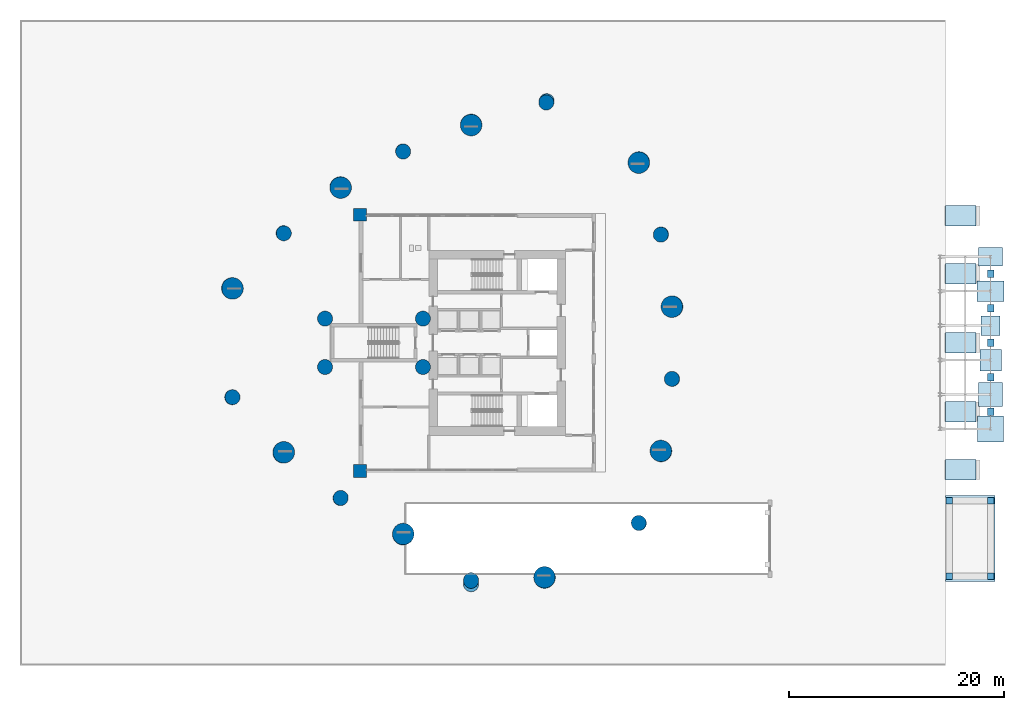
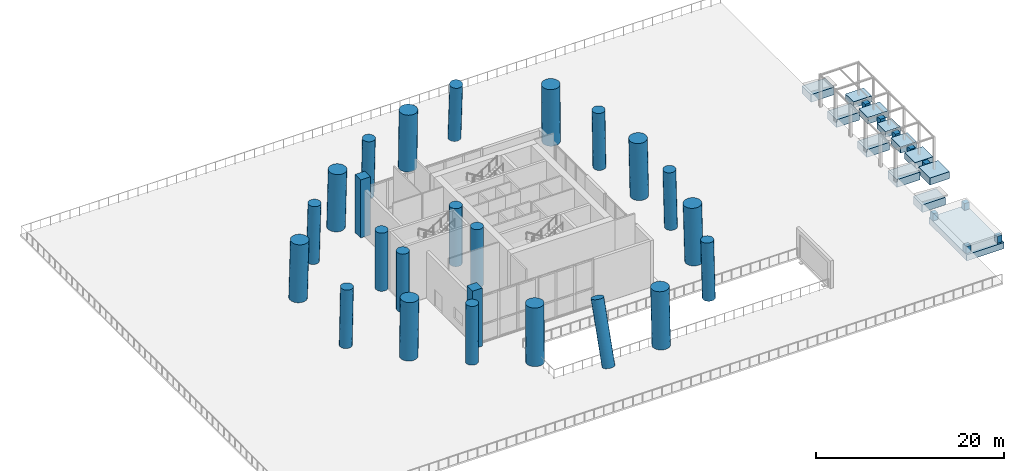
# One storey, part 1 of 16: 28 columns, 17 footings.
"""IFC4 building model written with IfcOpenShell, lengths in metres."""

import ifcopenshell
import ifcopenshell.guid

model = None  # the IFC model being written
_history = None  # IfcOwnerHistory: only IFC2X3 demands one
_inside = {}  # id of a spatial element -> (the spatial element, [elements in it])
_under = {}  # id of a project, library or spatial element -> (it, [spatial elements below it])
_declared = {}  # id of a project -> (the project, [libraries it declares])
_typed = {}  # id of a type object -> (the type object, [elements of that type])
_made_of = {}  # id of a material, layer set ... -> (it, [elements and type objects made of it])


def new_model(schema):
    """Start an empty IFC model of exactly this schema.

    Asked for "IFC4X3", IfcOpenShell would pick the latest addendum, in which some entities
    have other attributes; the version numbers below select the first issue.
    IFC2X3 requires an IfcOwnerHistory on every rooted entity: one is made here for all.
    """
    global model, _history
    if schema == "IFC4X3":
        model = ifcopenshell.file(schema_version=(4, 3, 0, 0))
    else:
        model = ifcopenshell.file(schema=schema)
    _inside.clear()
    _under.clear()
    _declared.clear()
    _typed.clear()
    _made_of.clear()
    _history = None
    if model.schema == "IFC2X3":
        org = make("IfcOrganization", Name="unknown")
        user = make(
            "IfcPersonAndOrganization",
            ThePerson=make("IfcPerson", FamilyName="unknown"),
            TheOrganization=org,
        )
        app = make(
            "IfcApplication",
            ApplicationDeveloper=org,
            Version="unknown",
            ApplicationFullName="unknown",
            ApplicationIdentifier="unknown",
        )
        _history = make(
            "IfcOwnerHistory",
            OwningUser=user,
            OwningApplication=app,
            ChangeAction="ADDED",
            CreationDate=0,
        )
    return model


def make(cls, **values):
    """One entity of the class cls with the attributes given. An attribute that is None is left unset."""
    return model.create_entity(
        cls, **{name: value for name, value in values.items() if value is not None}
    )


def rooted(cls, **values):
    """An entity with a GlobalId (a new one), such as an element, a storey or a relation."""
    return make(cls, GlobalId=ifcopenshell.guid.new(), OwnerHistory=_history, **values)


def si_unit(unit_type, name, prefix=None):
    """IfcSIUnit, for example si_unit("LENGTHUNIT", "METRE", prefix="MILLI")."""
    return make("IfcSIUnit", UnitType=unit_type, Prefix=prefix, Name=name)


def assignment(units):
    """IfcUnitAssignment: the units of a project."""
    return None if units is None else make("IfcUnitAssignment", Units=units)


def point(xyz):
    """IfcCartesianPoint."""
    return None if xyz is None else make("IfcCartesianPoint", Coordinates=xyz)


def direction(xyz):
    """IfcDirection."""
    return None if xyz is None else make("IfcDirection", DirectionRatios=xyz)


def frame(location, z_axis=None, x_axis=None):
    """IfcAxis2Placement3D, a coordinate frame: its origin and axes. An axis left out is left unset."""
    return make(
        "IfcAxis2Placement3D",
        Location=point(location),
        Axis=direction(z_axis),
        RefDirection=direction(x_axis),
    )


def frame_2d(location, x_axis=None):
    """IfcAxis2Placement2D, a coordinate frame in the plane: its origin and x axis."""
    return make(
        "IfcAxis2Placement2D", Location=point(location), RefDirection=direction(x_axis)
    )


def origin():
    """The frame at (0, 0, 0) with its axes left unset."""
    return frame((0.0, 0.0, 0.0))


def origin_2d():
    """The frame at (0, 0) in the plane with its x axis left unset."""
    return frame_2d((0.0, 0.0))


def place(relative_to, where):
    """IfcLocalPlacement: puts the frame where relative to a parent placement (None: the world)."""
    return make(
        "IfcLocalPlacement", PlacementRelTo=relative_to, RelativePlacement=where
    )


def context(
    kind, dimensions, precision=None, world=None, true_north=None, identifier=None
):
    """IfcGeometricRepresentationContext, for example the 3D "Model" context."""
    return make(
        "IfcGeometricRepresentationContext",
        ContextIdentifier=identifier,
        ContextType=kind,
        CoordinateSpaceDimension=dimensions,
        Precision=precision,
        WorldCoordinateSystem=world,
        TrueNorth=true_north,
    )


def subcontext(parent, identifier, kind, view, scale=None):
    """IfcGeometricRepresentationSubContext, for example "Body" below "Model"."""
    return make(
        "IfcGeometricRepresentationSubContext",
        ContextIdentifier=identifier,
        ContextType=kind,
        ParentContext=parent,
        TargetScale=scale,
        TargetView=view,
    )


def project(units=None, contexts=None):
    """IfcProject with its units and contexts."""
    return rooted(
        "IfcProject",
        Name="project",
        RepresentationContexts=contexts,
        UnitsInContext=assignment(units),
    )


def spatial(cls, under=None, at=None, **own):
    """A site, building, storey or space (cls), placed at a placement, below another one or the project."""
    s = rooted(cls, ObjectPlacement=at, **own)
    if under is not None:
        _under.setdefault(under.id(), (under, []))[1].append(s)
    return s


def polyline(points):
    """IfcPolyline through the points."""
    return make("IfcPolyline", Points=[point(p) for p in points])


def profile(cls, at=None, kind="AREA", **sizes):
    """A parametric profile (cls). Its sizes go by their IFC names, for example OverallWidth=200.0."""
    return make(cls, ProfileType=kind, Position=at, **sizes)


def rectangle(**sizes):
    """IfcRectangleProfileDef."""
    return profile("IfcRectangleProfileDef", **sizes)


def circle(**sizes):
    """IfcCircleProfileDef."""
    return profile("IfcCircleProfileDef", **sizes)


def outline(outer, holes=None, kind="AREA"):
    """IfcArbitraryClosedProfileDef: a profile drawn as a closed curve; with holes, ...WithVoids."""
    if holes is None:
        return make("IfcArbitraryClosedProfileDef", ProfileType=kind, OuterCurve=outer)
    return make(
        "IfcArbitraryProfileDefWithVoids",
        ProfileType=kind,
        OuterCurve=outer,
        InnerCurves=holes,
    )


def extrude(swept, where, along, depth):
    """IfcExtrudedAreaSolid: the profile swept, set in the frame where, extruded along a direction by depth."""
    return make(
        "IfcExtrudedAreaSolid",
        SweptArea=swept,
        Position=where,
        ExtrudedDirection=direction(along),
        Depth=depth,
    )


def shape(context_of_items, identifier, shape_type, items):
    """IfcShapeRepresentation: the items that make up one representation, for example the "Body"."""
    return make(
        "IfcShapeRepresentation",
        ContextOfItems=context_of_items,
        RepresentationIdentifier=identifier,
        RepresentationType=shape_type,
        Items=items,
    )


def source(mapping_origin, context_of_items, identifier, shape_type, items):
    """IfcRepresentationMap: a shape defined once, which mapped items show again and again."""
    return make(
        "IfcRepresentationMap",
        MappingOrigin=mapping_origin,
        MappedRepresentation=shape(context_of_items, identifier, shape_type, items),
    )


def transform(
    local_origin,
    x_axis=None,
    y_axis=None,
    z_axis=None,
    scale=None,
    scale2=None,
    scale3=None,
    uniform=True,
):
    """IfcCartesianTransformationOperator3D, or its non-uniform kind. x_axis, y_axis, z_axis: its Axis1, 2, 3."""
    if uniform:
        return make(
            "IfcCartesianTransformationOperator3D",
            Axis1=direction(x_axis),
            Axis2=direction(y_axis),
            LocalOrigin=point(local_origin),
            Scale=scale,
            Axis3=direction(z_axis),
        )
    return make(
        "IfcCartesianTransformationOperator3DnonUniform",
        Axis1=direction(x_axis),
        Axis2=direction(y_axis),
        LocalOrigin=point(local_origin),
        Scale=scale,
        Axis3=direction(z_axis),
        Scale2=scale2,
        Scale3=scale3,
    )


def mapped(mapping_source, mapping_target):
    """IfcMappedItem: shows the shape of a source again, moved by a transform."""
    return make(
        "IfcMappedItem", MappingSource=mapping_source, MappingTarget=mapping_target
    )


def material(Name=None, Category=None):
    """IfcMaterial."""
    return make("IfcMaterial", Name=Name, Category=Category)


def layer(
    of_material, thickness, ventilated=None, Name=None, Category=None, Priority=None
):
    """IfcMaterialLayer: one layer of a wall or slab, of a material (None: an air gap)."""
    return make(
        "IfcMaterialLayer",
        Material=of_material,
        LayerThickness=thickness,
        IsVentilated=ventilated,
        Name=Name,
        Category=Category,
        Priority=Priority,
    )


def layer_set(layers, Name=None):
    """IfcMaterialLayerSet."""
    return make("IfcMaterialLayerSet", MaterialLayers=layers, LayerSetName=Name)


def material_profile(
    of_material, cross_section, Name=None, Category=None, Priority=None
):
    """IfcMaterialProfile: a cross section and its material."""
    return make(
        "IfcMaterialProfile",
        Name=Name,
        Material=of_material,
        Profile=cross_section,
        Priority=Priority,
        Category=Category,
    )


def profile_set(profiles, Name=None, composite=None):
    """IfcMaterialProfileSet."""
    return make(
        "IfcMaterialProfileSet",
        Name=Name,
        MaterialProfiles=profiles,
        CompositeProfile=composite,
    )


def made_of(thing, what):
    """Note that an element or type object is made of a material, layer set ...; save() writes the relation."""
    if what is not None:
        _made_of.setdefault(what.id(), (what, []))[1].append(thing)
    return thing


def type_object(cls, material=None, **own):
    """A type object (cls), such as IfcWallType, which elements share."""
    return made_of(rooted(cls, **own), material)


def element(
    cls,
    number,
    at=None,
    inside=None,
    cuts=None,
    type_object=None,
    material=None,
    context=None,
    identifier="Body",
    shape_type=None,
    held_by="IfcProductDefinitionShape",
    body=None,
    shapes=None,
    **own,
):
    """One element of the class cls, such as IfcWall. Its Tag is "e" and its number.

    at: its placement. inside: the storey or other place that contains it. cuts: it is an
    opening in that element (IfcRelVoidsElement). A single representation is given by context,
    identifier, shape_type and body (its items); several are given by shapes. held_by: the class
    of the entity that holds the representations. save() writes the other relations.
    """
    e = rooted(cls, Tag="e%d" % number, ObjectPlacement=at, **own)
    if body is not None:
        shapes = [shape(context, identifier, shape_type, body)]
    if shapes is not None:
        e.Representation = make(held_by, Representations=shapes)
    if inside is not None:
        _inside.setdefault(inside.id(), (inside, []))[1].append(e)
    if cuts is not None:
        rooted(
            "IfcRelVoidsElement", RelatingBuildingElement=cuts, RelatedOpeningElement=e
        )
    if type_object is not None:
        _typed.setdefault(type_object.id(), (type_object, []))[1].append(e)
    return made_of(e, material)


def aggregate(whole, parts):
    """IfcRelAggregates: a whole, such as a stair, and the parts it consists of."""
    return rooted("IfcRelAggregates", RelatingObject=whole, RelatedObjects=parts)


def save(model, path):
    """Write the relations noted so far, then the file.

    IfcRelAggregates (storeys below a building ...), IfcRelContainedInSpatialStructure (elements
    in a storey), IfcRelDefinesByType, IfcRelAssociatesMaterial and IfcRelDeclares: one each for
    every whole, place, type object, material and project.
    """
    for whole, parts in _under.values():
        aggregate(whole, parts)
    for where, things in _inside.values():
        rooted(
            "IfcRelContainedInSpatialStructure",
            RelatedElements=things,
            RelatingStructure=where,
        )
    for kind, things in _typed.values():
        rooted("IfcRelDefinesByType", RelatedObjects=things, RelatingType=kind)
    for what, things in _made_of.values():
        rooted("IfcRelAssociatesMaterial", RelatedObjects=things, RelatingMaterial=what)
    for by, libraries in _declared.values():
        rooted("IfcRelDeclares", RelatingContext=by, RelatedDefinitions=libraries)
    model.write(path)


model = new_model("IFC4")

# Units and contexts
model_context = context("Model", 3, precision=1e-05, world=origin(), true_north=direction((0.0, 1.0)))
body_context = subcontext(model_context, "Body", "Model", "MODEL_VIEW")
ifc_project = project(units=[si_unit("LENGTHUNIT", "METRE"), si_unit("AREAUNIT", "SQUARE_METRE"), si_unit("VOLUMEUNIT", "CUBIC_METRE"), si_unit("PLANEANGLEUNIT", "RADIAN"), si_unit("MASSUNIT", "GRAM", prefix="KILO")], contexts=[model_context])

# Site, building, storey
site_placement = place(None, origin())
site = spatial("IfcSite", under=ifc_project, at=site_placement, CompositionType="ELEMENT")
building_placement = place(site_placement, origin())
building = spatial("IfcBuilding", under=site, at=building_placement, Name="Qafzar Sky-Pleat Residences", CompositionType="ELEMENT")
storey_placement = place(building_placement, origin())
storey = spatial("IfcBuildingStorey", under=building, at=storey_placement, Name="L00", CompositionType="ELEMENT", Elevation=0.0)

# Footings
ifc_material_1 = material(Name="Concrete C50/60", Category="concrete")
ifc_layer_1 = layer(ifc_material_1, 0.89990234375)
ifc_layer_set_1 = layer_set([ifc_layer_1], Name="Concrete C50/60")
footing_type_1 = type_object("IfcFootingType", Name="FTG-PAD-01", PredefinedType="PAD_FOOTING", material=ifc_layer_set_1)
footing_1_placement = place(storey_placement, frame((0.0, 0.0, -1.9150390625)))
element("IfcFooting", 1, at=footing_1_placement, inside=storey, type_object=footing_type_1, Name="L00 Driveway Apron Mat Footing", PredefinedType="PAD_FOOTING", context=body_context, shape_type="SweptSolid", body=[
    extrude(outline(polyline([(72.02001953125, 3.800048828125), (76.60009765625, 3.800048828125), (76.60009765625, 11.800048828125), (72.02001953125, 11.800048828125), (72.02001953125, 3.800048828125)])), origin(), (0.0, 0.0, 1.0), 0.800048828125),
])
ifc_layer_2 = layer(ifc_material_1, 0.85009765625)
ifc_layer_set_2 = layer_set([ifc_layer_2], Name="Concrete C50/60")
footing_type_2 = type_object("IfcFootingType", Name="FTG-PAD-02", PredefinedType="PAD_FOOTING", material=ifc_layer_set_2)
footing_2_placement = place(storey_placement, frame((0.0, 0.0, -1.3798828125)))
element("IfcFooting", 2, at=footing_2_placement, inside=storey, type_object=footing_type_2, Name="L00 Accessible Ramp Grade Footing 1", PredefinedType="PAD_FOOTING", context=body_context, shape_type="SweptSolid", body=[
    extrude(outline(polyline([(72.02001953125, 13.25), (74.85009765625, 13.25), (74.85009765625, 15.14990234375), (72.02001953125, 15.14990234375), (72.02001953125, 13.25)])), origin(), (0.0, 0.0, 1.0), 1.0),
])
footing_3_placement = place(storey_placement, frame((0.0, 0.0, -1.3798828125)))
element("IfcFooting", 3, at=footing_3_placement, inside=storey, type_object=footing_type_2, Name="L00 Accessible Ramp Grade Footing 2", PredefinedType="PAD_FOOTING", context=body_context, shape_type="SweptSolid", body=[
    extrude(outline(polyline([(72.02001953125, 18.64990234375), (74.85009765625, 18.64990234375), (74.85009765625, 20.550048828125), (72.02001953125, 20.550048828125), (72.02001953125, 18.64990234375)])), origin(), (0.0, 0.0, 1.0), 1.0),
])
footing_4_placement = place(storey_placement, frame((0.0, 0.0, -1.3798828125)))
element("IfcFooting", 4, at=footing_4_placement, inside=storey, type_object=footing_type_2, Name="L00 Accessible Ramp Grade Footing 3", PredefinedType="PAD_FOOTING", context=body_context, shape_type="SweptSolid", body=[
    extrude(outline(polyline([(72.02001953125, 25.050048828125), (74.85009765625, 25.050048828125), (74.85009765625, 26.949951171875), (72.02001953125, 26.949951171875), (72.02001953125, 25.050048828125)])), origin(), (0.0, 0.0, 1.0), 1.0),
])
footing_5_placement = place(storey_placement, frame((0.0, 0.0, -1.3798828125)))
element("IfcFooting", 5, at=footing_5_placement, inside=storey, type_object=footing_type_2, Name="L00 Accessible Ramp Grade Footing 4", PredefinedType="PAD_FOOTING", context=body_context, shape_type="SweptSolid", body=[
    extrude(outline(polyline([(72.02001953125, 31.449951171875), (74.85009765625, 31.449951171875), (74.85009765625, 33.35009765625), (72.02001953125, 33.35009765625), (72.02001953125, 31.449951171875)])), origin(), (0.0, 0.0, 1.0), 1.0),
])
footing_6_placement = place(storey_placement, frame((0.0, 0.0, -1.3798828125)))
element("IfcFooting", 6, at=footing_6_placement, inside=storey, type_object=footing_type_2, Name="L00 Accessible Ramp Grade Footing 5", PredefinedType="PAD_FOOTING", context=body_context, shape_type="SweptSolid", body=[
    extrude(outline(polyline([(72.02001953125, 36.85009765625), (74.85009765625, 36.85009765625), (74.85009765625, 38.75), (72.02001953125, 38.75), (72.02001953125, 36.85009765625)])), origin(), (0.0, 0.0, 1.0), 1.0),
])
shared_shape_1 = source(origin(), body_context, "Body", "SweptSolid", [
    extrude(rectangle(XDim=2.39990234375, YDim=2.39990234375, at=origin_2d()), origin(), (0.0, 0.0, 1.0), 0.89990234375),
])
footing_7_placement = place(storey_placement, frame((76.199951171875, 18.0, -1.0), z_axis=(0.0, 0.0, 1.0), x_axis=(1.0, 0.0, 0.0)))
element("IfcFooting", 7, at=footing_7_placement, inside=storey, type_object=footing_type_1, Name="Wadi Canopy Pad Footing 1", PredefinedType="PAD_FOOTING", context=body_context, shape_type="MappedRepresentation", body=[
    mapped(shared_shape_1, transform((0.0, 0.0, 0.0), x_axis=(1.0, 0.0, 0.0), y_axis=(0.0, 1.0, 0.0), z_axis=(0.0, 0.0, 1.0), scale=1.0)),
])
shared_shape_2 = source(origin(), body_context, "Body", "SweptSolid", [
    extrude(rectangle(XDim=2.199951171875, YDim=2.199951171875, at=origin_2d()), origin(), (0.0, 0.0, 1.0), 0.85009765625),
])
footing_8_placement = place(storey_placement, frame((76.199951171875, 21.199951171875, -0.97509765625), z_axis=(0.0, 0.0, 1.0), x_axis=(1.0, 0.0, 0.0)))
element("IfcFooting", 8, at=footing_8_placement, inside=storey, type_object=footing_type_2, Name="Wadi Canopy Pad Footing 2", PredefinedType="PAD_FOOTING", context=body_context, shape_type="MappedRepresentation", body=[
    mapped(shared_shape_2, transform((0.0, 0.0, 0.0), x_axis=(1.0, 0.0, 0.0), y_axis=(0.0, 1.0, 0.0), z_axis=(0.0, 0.0, 1.0), scale=1.0)),
])
ifc_layer_3 = layer(ifc_material_1, 0.800048828125)
ifc_layer_set_3 = layer_set([ifc_layer_3], Name="Concrete C50/60")
footing_type_3 = type_object("IfcFootingType", Name="FTG-PAD-03", PredefinedType="PAD_FOOTING", material=ifc_layer_set_3)
shared_shape_3 = source(origin(), body_context, "Body", "SweptSolid", [
    extrude(rectangle(XDim=2.0, YDim=2.0, at=origin_2d()), origin(), (0.0, 0.0, 1.0), 0.800048828125),
])
footing_9_placement = place(storey_placement, frame((76.199951171875, 24.39990234375, -0.9501953125), z_axis=(0.0, 0.0, 1.0), x_axis=(1.0, 0.0, 0.0)))
element("IfcFooting", 9, at=footing_9_placement, inside=storey, type_object=footing_type_3, Name="Wadi Canopy Pad Footing 3", PredefinedType="PAD_FOOTING", context=body_context, shape_type="MappedRepresentation", body=[
    mapped(shared_shape_3, transform((0.0, 0.0, 0.0), x_axis=(1.0, 0.0, 0.0), y_axis=(0.0, 1.0, 0.0), z_axis=(0.0, 0.0, 1.0), scale=1.0)),
])
ifc_layer_4 = layer(ifc_material_1, 0.75)
ifc_layer_set_4 = layer_set([ifc_layer_4], Name="Concrete C50/60")
footing_type_4 = type_object("IfcFootingType", Name="FTG-PAD-04", PredefinedType="PAD_FOOTING", material=ifc_layer_set_4)
shared_shape_4 = source(origin(), body_context, "Body", "SweptSolid", [
    extrude(rectangle(XDim=1.800048828125, YDim=1.800048828125, at=origin_2d()), origin(), (0.0, 0.0, 1.0), 0.75),
])
footing_10_placement = place(storey_placement, frame((76.199951171875, 27.60009765625, -0.925048828125), z_axis=(0.0, 0.0, 1.0), x_axis=(1.0, 0.0, 0.0)))
element("IfcFooting", 10, at=footing_10_placement, inside=storey, type_object=footing_type_4, Name="Wadi Canopy Pad Footing 4", PredefinedType="PAD_FOOTING", context=body_context, shape_type="MappedRepresentation", body=[
    mapped(shared_shape_4, transform((0.0, 0.0, 0.0), x_axis=(1.0, 0.0, 0.0), y_axis=(0.0, 1.0, 0.0), z_axis=(0.0, 0.0, 1.0), scale=1.0)),
])
ifc_layer_5 = layer(ifc_material_1, 0.85009765625)
ifc_layer_set_5 = layer_set([ifc_layer_5], Name="Concrete C50/60")
footing_type_5 = type_object("IfcFootingType", Name="FTG-PAD-05", PredefinedType="PAD_FOOTING", material=ifc_layer_set_5)
shared_shape_5 = source(origin(), body_context, "Body", "SweptSolid", [
    extrude(rectangle(XDim=2.5, YDim=1.89990234375, at=origin_2d()), origin(), (0.0, 0.0, 1.0), 0.85009765625),
])
footing_11_placement = place(storey_placement, frame((76.199951171875, 30.800048828125, -0.97509765625), z_axis=(0.0, 0.0, 1.0), x_axis=(1.0, 0.0, 0.0)))
element("IfcFooting", 11, at=footing_11_placement, inside=storey, type_object=footing_type_5, Name="Wadi Canopy Pad Footing 5", PredefinedType="PAD_FOOTING", context=body_context, shape_type="MappedRepresentation", body=[
    mapped(shared_shape_5, transform((0.0, 0.0, 0.0), x_axis=(1.0, 0.0, 0.0), y_axis=(0.0, 1.0, 0.0), z_axis=(0.0, 0.0, 1.0), scale=1.0)),
])
ifc_layer_6 = layer(ifc_material_1, 0.800048828125)
ifc_layer_set_6 = layer_set([ifc_layer_6], Name="Concrete C50/60")
footing_type_6 = type_object("IfcFootingType", Name="FTG-PAD-06", PredefinedType="PAD_FOOTING", material=ifc_layer_set_6)
shared_shape_6 = source(origin(), body_context, "Body", "SweptSolid", [
    extrude(rectangle(XDim=2.25, YDim=1.699951171875, at=origin_2d()), origin(), (0.0, 0.0, 1.0), 0.800048828125),
])
footing_12_placement = place(storey_placement, frame((76.199951171875, 34.0, -0.9501953125), z_axis=(0.0, 0.0, 1.0), x_axis=(1.0, 0.0, 0.0)))
element("IfcFooting", 12, at=footing_12_placement, inside=storey, type_object=footing_type_6, Name="Wadi Canopy Pad Footing 6", PredefinedType="PAD_FOOTING", context=body_context, shape_type="MappedRepresentation", body=[
    mapped(shared_shape_6, transform((0.0, 0.0, 0.0), x_axis=(1.0, 0.0, 0.0), y_axis=(0.0, 1.0, 0.0), z_axis=(0.0, 0.0, 1.0), scale=1.0)),
])
ifc_material_profile_1 = material_profile(ifc_material_1, rectangle(XDim=0.60009765625, YDim=0.89990234375, at=origin_2d()), Name="RC 600x900")
ifc_profile_set_1 = profile_set([ifc_material_profile_1], Name="Concrete C50/60")
footing_type_7 = type_object("IfcFootingType", Name="FTG-BEAM-800x1000", PredefinedType="FOOTING_BEAM", material=ifc_profile_set_1)
shared_shape_7 = source(origin(), body_context, "Body", "SweptSolid", [
    extrude(rectangle(XDim=0.60009765625, YDim=0.89990234375, at=origin_2d()), origin(), (0.0, 0.0, 1.0), 0.699951171875),
])
for number, where, z_axis, x_axis, name in (
    (13, (76.199951171875, 19.25, -0.550048828125), (0.0, 1.0, 0.0), (-1.0, 0.0, 0.0), "Wadi Canopy Ground Tie Beam 1"),
    (14, (76.199951171875, 22.449951171875, -0.550048828125), (0.0, 1.0, 0.0), (-1.0, 0.0, 0.0), "Wadi Canopy Ground Tie Beam 2"),
    (15, (76.199951171875, 28.85009765625, -0.550048828125), (0.0, 1.0, 0.0), (-1.0, 0.0, 0.0), "Wadi Canopy Ground Tie Beam 4"),
    (16, (76.199951171875, 32.050048828125, -0.550048828125), (0.0, 1.0, 0.0), (-1.0, 0.0, 0.0), "Wadi Canopy Ground Tie Beam 5"),
):
    element("IfcFooting", number, at=place(storey_placement, frame(where, z_axis=z_axis, x_axis=x_axis)), inside=storey, type_object=footing_type_7, Name=name, PredefinedType="FOOTING_BEAM", context=body_context, shape_type="MappedRepresentation", body=[
        mapped(shared_shape_7, transform((0.0, 0.0, 0.0), x_axis=(1.0, 0.0, 0.0), y_axis=(0.0, 1.0, 0.0), z_axis=(0.0, 0.0, 1.0), scale=1.0)),
    ])
shared_shape_8 = source(origin(), body_context, "Body", "SweptSolid", [
    extrude(rectangle(XDim=0.60009765625, YDim=0.89990234375, at=origin_2d()), origin(), (0.0, 0.0, 1.0), 0.7001953125),
])
footing_13_placement = place(storey_placement, frame((76.199951171875, 25.64990234375, -0.550048828125), z_axis=(0.0, 1.0, 0.0), x_axis=(-1.0, 0.0, 0.0)))
element("IfcFooting", 17, at=footing_13_placement, inside=storey, type_object=footing_type_7, Name="Wadi Canopy Ground Tie Beam 3", PredefinedType="FOOTING_BEAM", context=body_context, shape_type="MappedRepresentation", body=[
    mapped(shared_shape_8, transform((0.0, 0.0, 0.0), x_axis=(1.0, 0.0, 0.0), y_axis=(0.0, 1.0, 0.0), z_axis=(0.0, 0.0, 1.0), scale=1.0)),
])

# Columns
ifc_material_profile_2 = material_profile(ifc_material_1, rectangle(XDim=0.60009765625, YDim=0.60009765625, at=origin_2d()), Name="RC 600x600")
ifc_profile_set_2 = profile_set([ifc_material_profile_2], Name="Concrete C50/60")
column_type_1 = type_object("IfcColumnType", Name="COL-RC-600", PredefinedType="COLUMN", material=ifc_profile_set_2)
shared_shape_9 = source(origin(), body_context, "Body", "SweptSolid", [
    extrude(rectangle(XDim=0.60009765625, YDim=0.60009765625, at=origin_2d()), origin(), (0.0, 0.0, 1.0), 0.89990234375),
])
for number, where, z_axis, x_axis, name in (
    (18, (72.35009765625, 4.300048828125, -1.114990234375), (0.0, 0.0, 1.0), (1.0, 0.0, 0.0), "L00 Driveway Apron Pier 1"),
    (19, (76.199951171875, 4.300048828125, -1.114990234375), (0.0, 0.0, 1.0), (1.0, 0.0, 0.0), "L00 Driveway Apron Pier 2"),
    (20, (72.35009765625, 11.300048828125, -1.114990234375), (0.0, 0.0, 1.0), (1.0, 0.0, 0.0), "L00 Driveway Apron Pier 3"),
    (21, (76.199951171875, 11.300048828125, -1.114990234375), (0.0, 0.0, 1.0), (1.0, 0.0, 0.0), "L00 Driveway Apron Pier 4"),
):
    element("IfcColumn", number, at=place(storey_placement, frame(where, z_axis=z_axis, x_axis=x_axis)), inside=storey, type_object=column_type_1, Name=name, PredefinedType="COLUMN", context=body_context, shape_type="MappedRepresentation", body=[
        mapped(shared_shape_9, transform((0.0, 0.0, 0.0), x_axis=(1.0, 0.0, 0.0), y_axis=(0.0, 1.0, 0.0), z_axis=(0.0, 0.0, 1.0), scale=1.0)),
    ])
ifc_material_2 = material(Name="Concrete C60/75", Category="concrete")
ifc_material_profile_3 = material_profile(ifc_material_2, circle(Radius=1.0, at=origin_2d()), Name="RC D2000")
ifc_profile_set_3 = profile_set([ifc_material_profile_3], Name="Concrete C60/75")
column_type_2 = type_object("IfcColumnType", Name="COL-STILT-D2000", PredefinedType="COLUMN", material=ifc_profile_set_3)
shared_shape_10 = source(origin(), body_context, "Body", "SweptSolid", [
    extrude(circle(Radius=1.0, at=origin_2d()), origin(), (0.0, 0.0, 1.0), 7.478271484375),
])
for number, where, z_axis, x_axis, name in (
    (22, (5.72509765625, 31.0625, 0.031982421875), (0.023309912198, -0.005256156672, 0.999714469641), (0.219967319193, 0.975507241637, 0.0), "L00 Pilotis Mega Column STILT-01"),
    (23, (10.494140625, 15.810302734375, 0.031982421875), (0.020600239928, 0.012014086043, 0.999715605486), (-0.503785904936, 0.863828548954, 0.0), "L00 Pilotis Mega Column STILT-02"),
    (24, (21.60302734375, 8.205078125, 0.031982421875), (0.008063793099, 0.022493738646, 0.999714462716), (-0.941339404156, 0.33746129583, 0.0), "L00 Pilotis Mega Column STILT-03"),
    (25, (34.7529296875, 4.177978515625, 0.031982421875), (-0.007051739873, 0.022820213754, 0.999714714711), (-0.955423673267, -0.295238216632, 0.0), "L00 Pilotis Mega Column STILT-04"),
    (26, (45.577392578125, 15.934326171875, 0.031982421875), (-0.020698179302, 0.011850850294, 0.999715530899), (-0.496875807834, -0.867821658862, 0.0), "L00 Pilotis Mega Column STILT-05"),
    (27, (46.609375, 29.357421875, 0.031982421875), (-0.023505799037, -0.004244102604, 0.999714691802), (0.177682530476, -0.9840878611, 0.0), "L00 Pilotis Mega Column STILT-06"),
    (28, (43.521728515625, 42.75927734375, 0.031982421875), (-0.016225539327, -0.017498770784, 0.999715221898), (0.733280558262, -0.679926189284, 0.0), "L00 Pilotis Mega Column STILT-07"),
    (29, (27.928466796875, 46.25537109375, 0.031982421875), (6.5293919e-05, -0.023864927302, 0.999715189932), (0.999996257233, 0.002735967872, 0.0), "L00 Pilotis Mega Column STILT-08"),
    (30, (15.787841796875, 40.4375, 0.031982421875), (0.015409366606, -0.018217005437, 0.999715305541), (0.763490074683, 0.64581956138, 0.0), "L00 Pilotis Mega Column STILT-09"),
):
    element("IfcColumn", number, at=place(storey_placement, frame(where, z_axis=z_axis, x_axis=x_axis)), inside=storey, type_object=column_type_2, Name=name, PredefinedType="COLUMN", context=body_context, shape_type="MappedRepresentation", body=[
        mapped(shared_shape_10, transform((0.0, 0.0, 0.0), x_axis=(1.0, 0.0, 0.0), y_axis=(0.0, 1.0, 0.0), z_axis=(0.0, 0.0, 1.0), scale=1.0)),
    ])
ifc_material_profile_4 = material_profile(ifc_material_2, circle(Radius=0.699951171875, at=origin_2d()), Name="RC D1400")
ifc_profile_set_4 = profile_set([ifc_material_profile_4], Name="Concrete C60/75")
column_type_3 = type_object("IfcColumnType", Name="COL-MEGA-D1400", PredefinedType="COLUMN", material=ifc_profile_set_4)
shared_shape_11 = source(origin(), body_context, "Body", "SweptSolid", [
    extrude(circle(Radius=0.699951171875, at=origin_2d()), origin(), (0.0, 0.0, 1.0), 7.502197265625),
])
for number, where, z_axis, x_axis, name in (
    (31, (5.724853515625, 20.937255859375, 0.014892578125), (0.023268110663, 0.005304478375, 0.999715188209), (-0.222269374888, 0.974985294754, 0.0), "L00 Pilotis Branch Mega Column STILT-BR-01"),
    (32, (15.78759765625, 11.562255859375, 0.014892578125), (0.015425289006, 0.018223970134, 0.999714933054), (-0.763282875199, 0.64606443365, 0.0), "L00 Pilotis Branch Mega Column STILT-BR-02"),
    (33, (43.522216796875, 9.240478515625, 0.014892578125), (-0.016238857648, 0.017508026883, 0.999714843591), (-0.733181674465, -0.680032817023, 0.0), "L00 Pilotis Branch Mega Column STILT-BR-04"),
    (34, (46.609619140625, 22.642578125, 0.014892578125), (-0.023463380619, 0.004230567934, 0.999715745632), (-0.177443856137, -0.984130925192, 0.0), "L00 Pilotis Branch Mega Column STILT-BR-05"),
    (35, (45.577880859375, 36.06591796875, 0.014892578125), (-0.020729758146, -0.011878118875, 0.99971455297), (0.497165402983, -0.86765578548, 0.0), "L00 Pilotis Branch Mega Column STILT-BR-06"),
    (36, (21.602783203125, 43.795166015625, 0.014892578125), (0.008070618217, -0.022454542619, 0.999715288788), (0.941061150678, 0.338236471548, 0.0), "L00 Pilotis Branch Mega Column STILT-BR-08"),
    (37, (10.49365234375, 36.18994140625, 0.014892578125), (0.020632139353, -0.012008295617, 0.999715017223), (0.503023193419, 0.86427291227, 0.0), "L00 Pilotis Branch Mega Column STILT-BR-09"),
):
    element("IfcColumn", number, at=place(storey_placement, frame(where, z_axis=z_axis, x_axis=x_axis)), inside=storey, type_object=column_type_3, Name=name, PredefinedType="COLUMN", context=body_context, shape_type="MappedRepresentation", body=[
        mapped(shared_shape_11, transform((0.0, 0.0, 0.0), x_axis=(1.0, 0.0, 0.0), y_axis=(0.0, 1.0, 0.0), z_axis=(0.0, 0.0, 1.0), scale=1.0)),
    ])
shared_shape_12 = source(origin(), body_context, "Body", "SweptSolid", [
    extrude(circle(Radius=0.699951171875, at=origin_2d()), origin(), (0.0, 0.0, 1.0), 7.870849609375),
])
column_1_placement = place(storey_placement, frame((27.92041015625, 3.52880859375, 0.014892578125), z_axis=(0.00108565426, 0.30330078143, 0.952894252968), x_axis=(-0.99999359378, 0.003579441172, 0.0)))
element("IfcColumn", 38, at=column_1_placement, inside=storey, type_object=column_type_3, Name="L00 Pilotis Branch Mega Column STILT-BR-03", PredefinedType="COLUMN", context=body_context, shape_type="MappedRepresentation", body=[
    mapped(shared_shape_12, transform((0.0, 0.0, 0.0), x_axis=(1.0, 0.0, 0.0), y_axis=(0.0, 1.0, 0.0), z_axis=(0.0, 0.0, 1.0), scale=1.0)),
])
shared_shape_13 = source(origin(), body_context, "Body", "SweptSolid", [
    extrude(circle(Radius=0.699951171875, at=origin_2d()), origin(), (0.0, 0.0, 1.0), 7.547607421875),
])
column_2_placement = place(storey_placement, frame((34.95068359375, 48.4609375, 0.014892578125), z_axis=(-0.033123553964, -0.107004605969, 0.993706618914), x_axis=(0.955278121886, -0.295708826122, 0.0)))
element("IfcColumn", 39, at=column_2_placement, inside=storey, type_object=column_type_3, Name="L00 Pilotis Branch Mega Column STILT-BR-07", PredefinedType="COLUMN", context=body_context, shape_type="MappedRepresentation", body=[
    mapped(shared_shape_13, transform((0.0, 0.0, 0.0), x_axis=(1.0, 0.0, 0.0), y_axis=(0.0, 1.0, 0.0), z_axis=(0.0, 0.0, 1.0), scale=1.0)),
])
shared_shape_14 = source(origin(), body_context, "Body", "SweptSolid", [
    extrude(circle(Radius=0.699951171875, at=origin_2d()), origin(), (0.0, 0.0, 1.0), 7.5400390625),
])
for number, where, z_axis, x_axis, name in (
    (40, (14.35009765625, 23.75, 0.0), (0.0, 0.0, 1.0), (1.0, 0.0, 0.0), "L00 West Stair Mega-Column 1"),
    (41, (23.449951171875, 23.75, 0.0), (0.0, 0.0, 1.0), (1.0, 0.0, 0.0), "L00 West Stair Mega-Column 2"),
    (42, (14.35009765625, 28.25, 0.0), (0.0, 0.0, 1.0), (1.0, 0.0, 0.0), "L00 West Stair Mega-Column 3"),
    (43, (23.449951171875, 28.25, 0.0), (0.0, 0.0, 1.0), (1.0, 0.0, 0.0), "L00 West Stair Mega-Column 4"),
):
    element("IfcColumn", number, at=place(storey_placement, frame(where, z_axis=z_axis, x_axis=x_axis)), inside=storey, type_object=column_type_3, Name=name, PredefinedType="COLUMN", context=body_context, shape_type="MappedRepresentation", body=[
        mapped(shared_shape_14, transform((0.0, 0.0, 0.0), x_axis=(1.0, 0.0, 0.0), y_axis=(0.0, 1.0, 0.0), z_axis=(0.0, 0.0, 1.0), scale=1.0)),
    ])
ifc_material_profile_5 = material_profile(ifc_material_2, rectangle(XDim=1.199951171875, YDim=1.199951171875, at=origin_2d()), Name="RC 1200x1200")
ifc_profile_set_5 = profile_set([ifc_material_profile_5], Name="Concrete C60/75")
column_type_4 = type_object("IfcColumnType", Name="COL-RC-1200", PredefinedType="COLUMN", material=ifc_profile_set_5)
shared_shape_15 = source(origin(), body_context, "Body", "SweptSolid", [
    extrude(rectangle(XDim=1.199951171875, YDim=1.199951171875, at=origin_2d()), origin(), (0.0, 0.0, 1.0), 7.5400390625),
])
for number, where, z_axis, x_axis, name in (
    (44, (17.60009765625, 14.10009765625, 0.0), (0.0, 0.0, 1.0), (1.0, 0.0, 0.0), "L00 West Stair Mega-Column 5"),
    (45, (17.60009765625, 37.89990234375, 0.0), (0.0, 0.0, 1.0), (1.0, 0.0, 0.0), "L00 West Stair Mega-Column 6"),
):
    element("IfcColumn", number, at=place(storey_placement, frame(where, z_axis=z_axis, x_axis=x_axis)), inside=storey, type_object=column_type_4, Name=name, PredefinedType="COLUMN", context=body_context, shape_type="MappedRepresentation", body=[
        mapped(shared_shape_15, transform((0.0, 0.0, 0.0), x_axis=(1.0, 0.0, 0.0), y_axis=(0.0, 1.0, 0.0), z_axis=(0.0, 0.0, 1.0), scale=1.0)),
    ])

save(model, "model.ifc")
